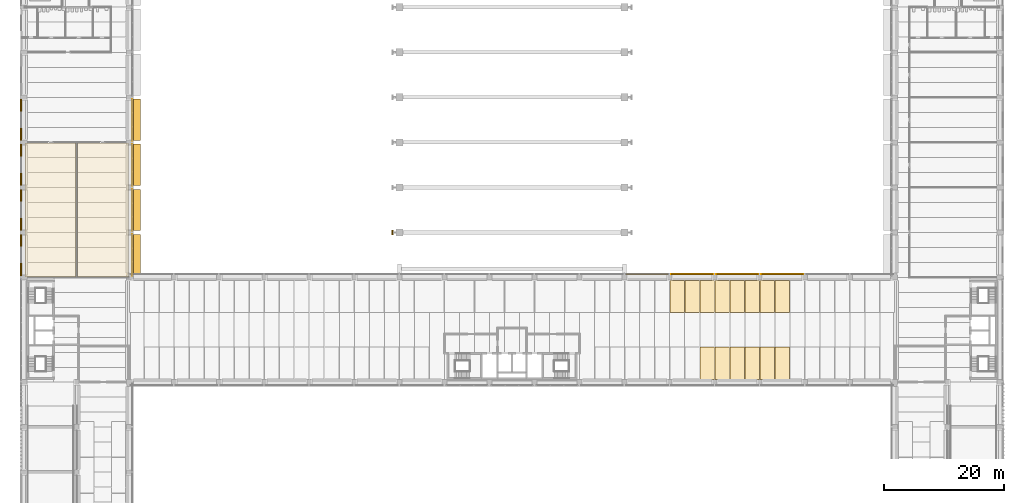
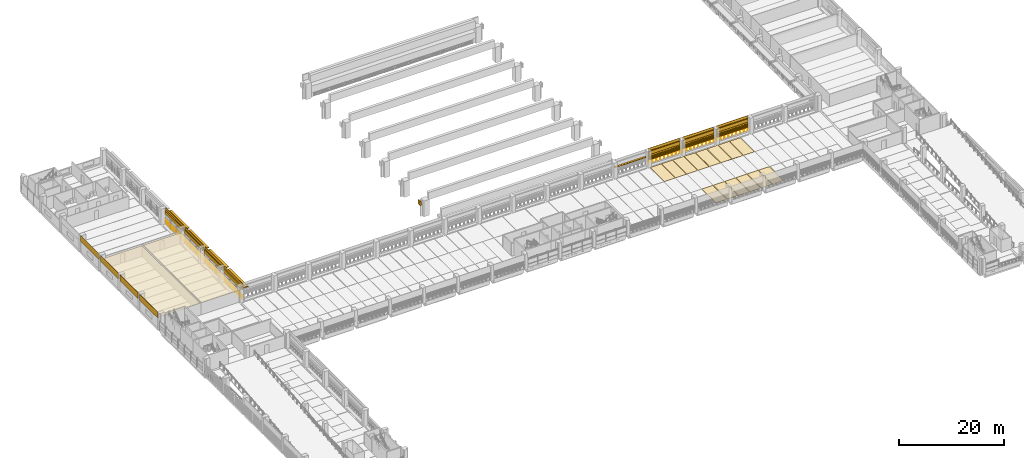
# One storey, part 47 of 61: 28 coverings, 20 shading devices, 7 railings.
"""IFC4 building model written with IfcOpenShell, lengths in metres."""

from ifc_helpers import new_model, si_unit, direction, frame, origin, origin_2d, place, context, subcontext, project, spatial, polyline, circle, outline, extrude, material, layer, layer_set, type_object, element, save


model = new_model("IFC4")

# Units and contexts
model_context = context("Model", 3, precision=1e-05, world=origin(), true_north=direction((0.0, 1.0)))
body_context = subcontext(model_context, "Body", "Model", "MODEL_VIEW")
ifc_project = project(units=[si_unit("LENGTHUNIT", "METRE"), si_unit("AREAUNIT", "SQUARE_METRE"), si_unit("VOLUMEUNIT", "CUBIC_METRE"), si_unit("PLANEANGLEUNIT", "RADIAN"), si_unit("MASSUNIT", "GRAM", prefix="KILO")], contexts=[model_context])

# Site, building, storey
site_placement = place(None, origin())
site = spatial("IfcSite", under=ifc_project, at=site_placement, CompositionType="ELEMENT")
building_placement = place(site_placement, origin())
building = spatial("IfcBuilding", under=site, at=building_placement, Name="Cour d'Honneur Mobility Palace", CompositionType="ELEMENT")
storey_placement = place(building_placement, frame((0.0, 0.0, 11.89990234375)))
storey = spatial("IfcBuildingStorey", under=building, at=storey_placement, Name="L03", CompositionType="ELEMENT", Elevation=11.89990234375)

# Railings
ifc_material_1 = material(Name="Painted steel", Category="steel")
railing_type = type_object("IfcRailingType", Name="Balustrade", PredefinedType="BALUSTRADE", material=ifc_material_1)
for number, where, name in (
    (1, (129.60009765625, 62.949951171875, 0.300048828125), "Balustrade BAL-172"),
    (2, (122.10009765625, 62.949951171875, 0.300048828125), "Balustrade BAL-173"),
    (3, (114.60009765625, 62.949951171875, 0.300048828125), "Balustrade BAL-174"),
):
    element("IfcRailing", number, at=place(storey_placement, frame(where)), inside=storey, type_object=railing_type, Name=name, PredefinedType="BALUSTRADE", context=body_context, shape_type="SweptSolid", body=[
        extrude(circle(Radius=0.02392578125, at=origin_2d()), frame((0.0, 0.0, 0.77587890625), z_axis=(-1.0, 0.0, 0.0), x_axis=(0.0, -1.0, 0.0)), (0.0, 0.0, 1.0), 6.900146484375),
        extrude(circle(Radius=0.02099609375, at=origin_2d()), origin(), (0.0, 0.0, 1.0), 0.751953125),
        extrude(circle(Radius=0.02099609375, at=origin_2d()), frame((-0.862548828125, 0.0, 0.0)), (0.0, 0.0, 1.0), 0.751953125),
        extrude(circle(Radius=0.02099609375, at=origin_2d()), frame((-1.72509765625, 0.0, 0.0)), (0.0, 0.0, 1.0), 0.751953125),
        extrude(circle(Radius=0.02099609375, at=origin_2d()), frame((-2.587646484375, 0.0, 0.0)), (0.0, 0.0, 1.0), 0.751953125),
        extrude(circle(Radius=0.02099609375, at=origin_2d()), frame((-3.4501953125, 0.0, 0.0)), (0.0, 0.0, 1.0), 0.751953125),
        extrude(circle(Radius=0.02099609375, at=origin_2d()), frame((-4.3125, 0.0, 0.0)), (0.0, 0.0, 1.0), 0.751953125),
        extrude(circle(Radius=0.02099609375, at=origin_2d()), frame((-5.175048828125, 0.0, 0.0)), (0.0, 0.0, 1.0), 0.751953125),
        extrude(circle(Radius=0.02099609375, at=origin_2d()), frame((-6.03759765625, 0.0, 0.0)), (0.0, 0.0, 1.0), 0.751953125),
        extrude(circle(Radius=0.02099609375, at=origin_2d()), frame((-6.900146484375, 0.0, 0.0)), (0.0, 0.0, 1.0), 0.751953125),
    ])
for number, where, name in (
    (4, (17.949951171875, 62.699951171875, 0.300048828125), "Balustrade BAL-187"),
    (5, (17.949951171875, 70.199951171875, 0.300048828125), "Balustrade BAL-188"),
    (6, (17.949951171875, 77.699951171875, 0.300048828125), "Balustrade BAL-189"),
    (7, (17.949951171875, 85.199951171875, 0.300048828125), "Balustrade BAL-190"),
):
    element("IfcRailing", number, at=place(storey_placement, frame(where)), inside=storey, type_object=railing_type, Name=name, PredefinedType="BALUSTRADE", context=body_context, shape_type="SweptSolid", body=[
        extrude(circle(Radius=0.02392578125, at=origin_2d()), frame((0.0, 0.0, 0.77587890625), z_axis=(0.0, 1.0, 0.0), x_axis=(-1.0, 0.0, 0.0)), (0.0, 0.0, 1.0), 6.900146484375),
        extrude(circle(Radius=0.02099609375, at=origin_2d()), origin(), (0.0, 0.0, 1.0), 0.751953125),
        extrude(circle(Radius=0.02099609375, at=origin_2d()), frame((0.0, 0.862548828125, 0.0)), (0.0, 0.0, 1.0), 0.751953125),
        extrude(circle(Radius=0.02099609375, at=origin_2d()), frame((0.0, 1.72509765625, 0.0)), (0.0, 0.0, 1.0), 0.751953125),
        extrude(circle(Radius=0.02099609375, at=origin_2d()), frame((0.0, 2.587646484375, 0.0)), (0.0, 0.0, 1.0), 0.751953125),
        extrude(circle(Radius=0.02099609375, at=origin_2d()), frame((0.0, 3.4501953125, 0.0)), (0.0, 0.0, 1.0), 0.751953125),
        extrude(circle(Radius=0.02099609375, at=origin_2d()), frame((0.0, 4.3125, 0.0)), (0.0, 0.0, 1.0), 0.751953125),
        extrude(circle(Radius=0.02099609375, at=origin_2d()), frame((0.0, 5.175048828125, 0.0)), (0.0, 0.0, 1.0), 0.751953125),
        extrude(circle(Radius=0.02099609375, at=origin_2d()), frame((0.0, 6.03759765625, 0.0)), (0.0, 0.0, 1.0), 0.751953125),
        extrude(circle(Radius=0.02099609375, at=origin_2d()), frame((0.0, 6.900146484375, 0.0)), (0.0, 0.0, 1.0), 0.751953125),
    ])

# Coverings
ifc_material_2 = material(Name="Parking marking paint")
ifc_layer_1 = layer(ifc_material_2, 0.0048828125)
ifc_layer_set_1 = layer_set([ifc_layer_1], Name="Parking marking paint")
covering_type_1 = type_object("IfcCoveringType", Name="Parking bay marking", PredefinedType="FLOORING", material=ifc_layer_set_1)
covering_1_placement = place(storey_placement, origin())
element("IfcCovering", 8, at=covering_1_placement, inside=storey, type_object=covering_type_1, Name="Parking bay marking L03 19", PredefinedType="FLOORING", context=body_context, shape_type="SweptSolid", body=[
    extrude(outline(polyline([(109.85009765625, 56.550048828125), (107.449951171875, 56.550048828125), (107.449951171875, 61.949951171875), (109.85009765625, 61.949951171875), (109.85009765625, 56.550048828125)])), origin(), (0.0, 0.0, 1.0), 0.005126953125),
])
covering_2_placement = place(storey_placement, origin())
element("IfcCovering", 9, at=covering_2_placement, inside=storey, type_object=covering_type_1, Name="Parking bay marking L03 20", PredefinedType="FLOORING", context=body_context, shape_type="SweptSolid", body=[
    extrude(outline(polyline([(112.35009765625, 56.550048828125), (109.949951171875, 56.550048828125), (109.949951171875, 61.949951171875), (112.35009765625, 61.949951171875), (112.35009765625, 56.550048828125)])), origin(), (0.0, 0.0, 1.0), 0.005126953125),
])
covering_3_placement = place(storey_placement, origin())
element("IfcCovering", 10, at=covering_3_placement, inside=storey, type_object=covering_type_1, Name="Parking bay marking L03 21", PredefinedType="FLOORING", context=body_context, shape_type="SweptSolid", body=[
    extrude(outline(polyline([(114.85009765625, 56.550048828125), (112.449951171875, 56.550048828125), (112.449951171875, 61.949951171875), (114.85009765625, 61.949951171875), (114.85009765625, 56.550048828125)])), origin(), (0.0, 0.0, 1.0), 0.005126953125),
])
covering_4_placement = place(storey_placement, origin())
element("IfcCovering", 11, at=covering_4_placement, inside=storey, type_object=covering_type_1, Name="Parking bay marking L03 23", PredefinedType="FLOORING", context=body_context, shape_type="SweptSolid", body=[
    extrude(outline(polyline([(117.35009765625, 56.550048828125), (114.949951171875, 56.550048828125), (114.949951171875, 61.949951171875), (117.35009765625, 61.949951171875), (117.35009765625, 56.550048828125)])), origin(), (0.0, 0.0, 1.0), 0.005126953125),
])
covering_5_placement = place(storey_placement, origin())
element("IfcCovering", 12, at=covering_5_placement, inside=storey, type_object=covering_type_1, Name="Parking bay marking L03 24", PredefinedType="FLOORING", context=body_context, shape_type="SweptSolid", body=[
    extrude(outline(polyline([(119.85009765625, 56.550048828125), (117.449951171875, 56.550048828125), (117.449951171875, 61.949951171875), (119.85009765625, 61.949951171875), (119.85009765625, 56.550048828125)])), origin(), (0.0, 0.0, 1.0), 0.005126953125),
])
covering_6_placement = place(storey_placement, origin())
element("IfcCovering", 13, at=covering_6_placement, inside=storey, type_object=covering_type_1, Name="Parking bay marking L03 25", PredefinedType="FLOORING", context=body_context, shape_type="SweptSolid", body=[
    extrude(outline(polyline([(122.35009765625, 56.550048828125), (119.949951171875, 56.550048828125), (119.949951171875, 61.949951171875), (122.35009765625, 61.949951171875), (122.35009765625, 56.550048828125)])), origin(), (0.0, 0.0, 1.0), 0.005126953125),
])
covering_7_placement = place(storey_placement, origin())
element("IfcCovering", 14, at=covering_7_placement, inside=storey, type_object=covering_type_1, Name="Parking bay marking L03 26", PredefinedType="FLOORING", context=body_context, shape_type="SweptSolid", body=[
    extrude(outline(polyline([(124.85009765625, 56.550048828125), (122.449951171875, 56.550048828125), (122.449951171875, 61.949951171875), (124.85009765625, 61.949951171875), (124.85009765625, 56.550048828125)])), origin(), (0.0, 0.0, 1.0), 0.005126953125),
])
covering_8_placement = place(storey_placement, origin())
element("IfcCovering", 15, at=covering_8_placement, inside=storey, type_object=covering_type_1, Name="Parking bay marking L03 27", PredefinedType="FLOORING", context=body_context, shape_type="SweptSolid", body=[
    extrude(outline(polyline([(127.35009765625, 56.550048828125), (124.949951171875, 56.550048828125), (124.949951171875, 61.949951171875), (127.35009765625, 61.949951171875), (127.35009765625, 56.550048828125)])), origin(), (0.0, 0.0, 1.0), 0.005126953125),
])
covering_9_placement = place(storey_placement, origin())
element("IfcCovering", 16, at=covering_9_placement, inside=storey, type_object=covering_type_1, Name="Parking bay marking L03 60", PredefinedType="FLOORING", context=body_context, shape_type="SweptSolid", body=[
    extrude(outline(polyline([(114.85009765625, 45.449951171875), (112.449951171875, 45.449951171875), (112.449951171875, 50.85009765625), (114.85009765625, 50.85009765625), (114.85009765625, 45.449951171875)])), origin(), (0.0, 0.0, 1.0), 0.005126953125),
])
covering_10_placement = place(storey_placement, origin())
element("IfcCovering", 17, at=covering_10_placement, inside=storey, type_object=covering_type_1, Name="Parking bay marking L03 62", PredefinedType="FLOORING", context=body_context, shape_type="SweptSolid", body=[
    extrude(outline(polyline([(117.35009765625, 45.449951171875), (114.949951171875, 45.449951171875), (114.949951171875, 50.85009765625), (117.35009765625, 50.85009765625), (117.35009765625, 45.449951171875)])), origin(), (0.0, 0.0, 1.0), 0.005126953125),
])
covering_11_placement = place(storey_placement, origin())
element("IfcCovering", 18, at=covering_11_placement, inside=storey, type_object=covering_type_1, Name="Parking bay marking L03 63", PredefinedType="FLOORING", context=body_context, shape_type="SweptSolid", body=[
    extrude(outline(polyline([(119.85009765625, 45.449951171875), (117.449951171875, 45.449951171875), (117.449951171875, 50.85009765625), (119.85009765625, 50.85009765625), (119.85009765625, 45.449951171875)])), origin(), (0.0, 0.0, 1.0), 0.005126953125),
])
covering_12_placement = place(storey_placement, origin())
element("IfcCovering", 19, at=covering_12_placement, inside=storey, type_object=covering_type_1, Name="Parking bay marking L03 64", PredefinedType="FLOORING", context=body_context, shape_type="SweptSolid", body=[
    extrude(outline(polyline([(122.35009765625, 45.449951171875), (119.949951171875, 45.449951171875), (119.949951171875, 50.85009765625), (122.35009765625, 50.85009765625), (122.35009765625, 45.449951171875)])), origin(), (0.0, 0.0, 1.0), 0.005126953125),
])
covering_13_placement = place(storey_placement, origin())
element("IfcCovering", 20, at=covering_13_placement, inside=storey, type_object=covering_type_1, Name="Parking bay marking L03 65", PredefinedType="FLOORING", context=body_context, shape_type="SweptSolid", body=[
    extrude(outline(polyline([(124.85009765625, 45.449951171875), (122.449951171875, 45.449951171875), (122.449951171875, 50.85009765625), (124.85009765625, 50.85009765625), (124.85009765625, 45.449951171875)])), origin(), (0.0, 0.0, 1.0), 0.005126953125),
])
covering_14_placement = place(storey_placement, origin())
element("IfcCovering", 21, at=covering_14_placement, inside=storey, type_object=covering_type_1, Name="Parking bay marking L03 66", PredefinedType="FLOORING", context=body_context, shape_type="SweptSolid", body=[
    extrude(outline(polyline([(127.35009765625, 45.449951171875), (124.949951171875, 45.449951171875), (124.949951171875, 50.85009765625), (127.35009765625, 50.85009765625), (127.35009765625, 45.449951171875)])), origin(), (0.0, 0.0, 1.0), 0.005126953125),
])
ifc_material_3 = material(Name="Cast limestone", Category="masonry")
ifc_layer_2 = layer(ifc_material_3, 0.1201171875)
ifc_layer_set_2 = layer_set([ifc_layer_2], Name="Cast limestone")
covering_type_2 = type_object("IfcCoveringType", Name="Pilaster capital", PredefinedType="CLADDING", material=ifc_layer_set_2)
covering_15_placement = place(storey_placement, frame((0.0, 0.0, 2.7001953125)))
element("IfcCovering", 22, at=covering_15_placement, inside=storey, type_object=covering_type_2, Name="Hall pilaster capital HP-W2", PredefinedType="CLADDING", context=body_context, shape_type="SweptSolid", body=[
    extrude(outline(polyline([(61.10009765625, 69.5), (61.35009765625, 69.5), (61.35009765625, 70.300048828125), (61.10009765625, 70.300048828125), (61.10009765625, 69.5)])), origin(), (0.0, 0.0, 1.0), 1.0),
])
ifc_material_4 = material(Name="Cast limestone", Category="masonry")
ifc_layer_3 = layer(ifc_material_4, 0.25)
ifc_layer_set_3 = layer_set([ifc_layer_3], Name="Cast limestone")
covering_type_3 = type_object("IfcCoveringType", Name="Spandrel cladding", PredefinedType="CLADDING", material=ifc_layer_set_3)
for number, where, z_axis, x_axis, name in (
    (23, (129.60009765625, 62.85009765625, 2.300048828125), (1.0, 0.0, 0.0), (0.0, 1.0, 0.0), "Spandrel cladding SK-247"),
    (24, (122.10009765625, 62.85009765625, 2.300048828125), (1.0, 0.0, 0.0), (0.0, 1.0, 0.0), "Spandrel cladding SK-248"),
    (25, (114.60009765625, 62.85009765625, 2.300048828125), (1.0, 0.0, 0.0), (0.0, 1.0, 0.0), "Spandrel cladding SK-249"),
    (26, (17.85009765625, 62.699951171875, 2.300048828125), (0.0, -1.0, 0.0), (1.0, 0.0, 0.0), "Spandrel cladding SK-262"),
    (27, (17.85009765625, 70.199951171875, 2.300048828125), (0.0, -1.0, 0.0), (1.0, 0.0, 0.0), "Spandrel cladding SK-263"),
    (28, (17.85009765625, 77.699951171875, 2.300048828125), (0.0, -1.0, 0.0), (1.0, 0.0, 0.0), "Spandrel cladding SK-264"),
    (29, (17.85009765625, 85.199951171875, 2.300048828125), (0.0, -1.0, 0.0), (1.0, 0.0, 0.0), "Spandrel cladding SK-265"),
    (30, (-0.449951171875, 92.10009765625, 2.300048828125), (0.0, 1.0, 0.0), (-1.0, 0.0, 0.0), "Spandrel cladding SK-270"),
    (31, (-0.449951171875, 84.60009765625, 2.300048828125), (0.0, 1.0, 0.0), (-1.0, 0.0, 0.0), "Spandrel cladding SK-271"),
    (32, (-0.449951171875, 77.10009765625, 2.300048828125), (0.0, 1.0, 0.0), (-1.0, 0.0, 0.0), "Spandrel cladding SK-272"),
    (33, (-0.449951171875, 69.60009765625, 2.300048828125), (0.0, 1.0, 0.0), (-1.0, 0.0, 0.0), "Spandrel cladding SK-273"),
):
    element("IfcCovering", number, at=place(storey_placement, frame(where, z_axis=z_axis, x_axis=x_axis)), inside=storey, type_object=covering_type_3, Name=name, PredefinedType="CLADDING", context=body_context, shape_type="SweptSolid", body=[
        extrude(outline(polyline([(0.0, 0.0), (0.25, 0.0), (0.25, 1.400146484375), (0.199951171875, 1.400146484375), (0.199951171875, 0.800048828125), (0.0, 0.800048828125), (0.0, 0.0)])), origin(), (0.0, 0.0, -1.0), 6.89990234375),
    ])

# Shading devices
ifc_material_5 = material(Name="Anodised aluminium", Category="aluminium")
ifc_layer_4 = layer(ifc_material_5, 0.1201171875)
ifc_layer_set_4 = layer_set([ifc_layer_4], Name="Anodised aluminium")
shading_device_type_1 = type_object("IfcShadingDeviceType", Name="Sunshade 1200", PredefinedType="AWNING", material=ifc_layer_set_4)
shading_device_1_placement = place(storey_placement, frame((0.0, 0.0, 2.630126953125)))
element("IfcShadingDevice", 34, at=shading_device_1_placement, inside=storey, type_object=shading_device_type_1, Name="Sunshade E9.0 L03", PredefinedType="AWNING", context=body_context, shape_type="SweptSolid", body=[
    extrude(outline(polyline([(18.10009765625, 62.699951171875), (18.10009765625, 69.60009765625), (19.300048828125, 69.60009765625), (19.300048828125, 62.699951171875), (18.10009765625, 62.699951171875)])), origin(), (0.0, 0.0, 1.0), 0.119873046875),
])
shading_device_2_placement = place(storey_placement, frame((0.0, 0.0, 2.630126953125)))
element("IfcShadingDevice", 35, at=shading_device_2_placement, inside=storey, type_object=shading_device_type_1, Name="Sunshade E9.1 L03", PredefinedType="AWNING", context=body_context, shape_type="SweptSolid", body=[
    extrude(outline(polyline([(18.10009765625, 70.199951171875), (18.10009765625, 77.10009765625), (19.300048828125, 77.10009765625), (19.300048828125, 70.199951171875), (18.10009765625, 70.199951171875)])), origin(), (0.0, 0.0, 1.0), 0.119873046875),
])
shading_device_3_placement = place(storey_placement, frame((0.0, 0.0, 2.630126953125)))
element("IfcShadingDevice", 36, at=shading_device_3_placement, inside=storey, type_object=shading_device_type_1, Name="Sunshade E9.2 L03", PredefinedType="AWNING", context=body_context, shape_type="SweptSolid", body=[
    extrude(outline(polyline([(18.10009765625, 77.699951171875), (18.10009765625, 84.60009765625), (19.300048828125, 84.60009765625), (19.300048828125, 77.699951171875), (18.10009765625, 77.699951171875)])), origin(), (0.0, 0.0, 1.0), 0.119873046875),
])
shading_device_4_placement = place(storey_placement, frame((0.0, 0.0, 2.630126953125)))
element("IfcShadingDevice", 37, at=shading_device_4_placement, inside=storey, type_object=shading_device_type_1, Name="Sunshade E9.3 L03", PredefinedType="AWNING", context=body_context, shape_type="SweptSolid", body=[
    extrude(outline(polyline([(18.10009765625, 85.199951171875), (18.10009765625, 92.10009765625), (19.300048828125, 92.10009765625), (19.300048828125, 85.199951171875), (18.10009765625, 85.199951171875)])), origin(), (0.0, 0.0, 1.0), 0.119873046875),
])

# Coverings
ifc_material_6 = material(Name="Suspended ceiling")
ifc_layer_5 = layer(ifc_material_6, 0.030029296875)
ifc_layer_set_5 = layer_set([ifc_layer_5], Name="Suspended ceiling")
covering_type_4 = type_object("IfcCoveringType", Name="Suspended ceiling", PredefinedType="CEILING", material=ifc_layer_set_5)
covering_16_placement = place(storey_placement, frame((0.0, 0.0, 2.550048828125)))
element("IfcCovering", 38, at=covering_16_placement, inside=storey, type_object=covering_type_4, Name="Ceiling Cycle Cafe", PredefinedType="CEILING", context=body_context, shape_type="SweptSolid", body=[
    extrude(outline(polyline([(8.580078125, 62.52001953125), (0.1201171875, 62.52001953125), (0.1201171875, 84.780029296875), (8.580078125, 84.780029296875), (8.580078125, 62.52001953125)])), origin(), (0.0, 0.0, 1.0), 0.030029296875),
])
covering_17_placement = place(storey_placement, frame((0.0, 0.0, 2.550048828125)))
element("IfcCovering", 39, at=covering_17_placement, inside=storey, type_object=covering_type_4, Name="Ceiling Mobility Exhibition Room", PredefinedType="CEILING", context=body_context, shape_type="SweptSolid", body=[
    extrude(outline(polyline([(17.280029296875, 62.52001953125), (8.820068359375, 62.52001953125), (8.820068359375, 84.780029296875), (17.280029296875, 84.780029296875), (17.280029296875, 62.52001953125)])), origin(), (0.0, 0.0, 1.0), 0.030029296875),
])

# Shading devices
ifc_material_7 = material(Name="Terracotta", Category="masonry")
ifc_layer_6 = layer(ifc_material_7, 0.02490234375)
ifc_layer_set_6 = layer_set([ifc_layer_6], Name="Terracotta")
shading_device_type_2 = type_object("IfcShadingDeviceType", Name="Terracotta louvre blade", PredefinedType="JALOUSIE", material=ifc_layer_set_6)
for number, where, z_axis, x_axis, name in (
    (40, (129.60009765625, 62.843994140625, 1.10009765625), (0.0, -0.707106781187, 0.707106781187), (-1.0, 0.0, 0.0), "Louvre blade LV-1 N8.2 L03 1"),
    (41, (129.60009765625, 62.843994140625, 1.312255859375), (0.0, -0.707106781187, 0.707106781187), (-1.0, 0.0, 0.0), "Louvre blade LV-1 N8.2 L03 2"),
    (42, (129.60009765625, 62.843994140625, 1.5244140625), (0.0, -0.707106781187, 0.707106781187), (-1.0, 0.0, 0.0), "Louvre blade LV-1 N8.2 L03 3"),
    (43, (129.60009765625, 62.843994140625, 1.736572265625), (0.0, -0.707106781187, 0.707106781187), (-1.0, 0.0, 0.0), "Louvre blade LV-1 N8.2 L03 4"),
):
    element("IfcShadingDevice", number, at=place(storey_placement, frame(where, z_axis=z_axis, x_axis=x_axis)), inside=storey, type_object=shading_device_type_2, Name=name, PredefinedType="JALOUSIE", context=body_context, shape_type="SweptSolid", body=[
        extrude(outline(polyline([(0.0, 0.0), (6.900146484375, 0.0), (6.900146484375, -0.300037008228081), (0.0, -0.300037008228081), (0.0, 0.0)])), origin(), (0.0, 0.0, -1.0), 0.02490234375),
    ])
shading_device_5_placement = place(storey_placement, frame((129.60009765625, 62.843994140625, 1.94873046875), z_axis=(0.0, -0.706699578995, 0.707513749017), x_axis=(-1.0, 0.0, 0.0)))
element("IfcShadingDevice", 44, at=shading_device_5_placement, inside=storey, type_object=shading_device_type_2, Name="Louvre blade LV-1 N8.2 L03 5", PredefinedType="JALOUSIE", context=body_context, shape_type="SweptSolid", body=[
    extrude(outline(polyline([(0.0, 0.0), (6.900146484375, 0.0), (6.900146484375, -0.29986442442957895), (0.0, -0.29986442442957895), (0.0, 0.0)])), origin(), (0.0, 0.0, -1.0), 0.02490234375),
])
for number, where, z_axis, x_axis, name in (
    (45, (122.10009765625, 62.843994140625, 1.10009765625), (0.0, -0.707106781187, 0.707106781187), (-1.0, 0.0, 0.0), "Louvre blade LV-1 N8.3 L03 1"),
    (46, (122.10009765625, 62.843994140625, 1.312255859375), (0.0, -0.707106781187, 0.707106781187), (-1.0, 0.0, 0.0), "Louvre blade LV-1 N8.3 L03 2"),
    (47, (122.10009765625, 62.843994140625, 1.5244140625), (0.0, -0.707106781187, 0.707106781187), (-1.0, 0.0, 0.0), "Louvre blade LV-1 N8.3 L03 3"),
    (48, (122.10009765625, 62.843994140625, 1.736572265625), (0.0, -0.707106781187, 0.707106781187), (-1.0, 0.0, 0.0), "Louvre blade LV-1 N8.3 L03 4"),
):
    element("IfcShadingDevice", number, at=place(storey_placement, frame(where, z_axis=z_axis, x_axis=x_axis)), inside=storey, type_object=shading_device_type_2, Name=name, PredefinedType="JALOUSIE", context=body_context, shape_type="SweptSolid", body=[
        extrude(outline(polyline([(0.0, 0.0), (6.900146484375, 0.0), (6.900146484375, -0.300037008228081), (0.0, -0.300037008228081), (0.0, 0.0)])), origin(), (0.0, 0.0, -1.0), 0.02490234375),
    ])
shading_device_6_placement = place(storey_placement, frame((122.10009765625, 62.843994140625, 1.94873046875), z_axis=(0.0, -0.706699578995, 0.707513749017), x_axis=(-1.0, 0.0, 0.0)))
element("IfcShadingDevice", 49, at=shading_device_6_placement, inside=storey, type_object=shading_device_type_2, Name="Louvre blade LV-1 N8.3 L03 5", PredefinedType="JALOUSIE", context=body_context, shape_type="SweptSolid", body=[
    extrude(outline(polyline([(0.0, 0.0), (6.900146484375, 0.0), (6.900146484375, -0.29986442442957895), (0.0, -0.29986442442957895), (0.0, 0.0)])), origin(), (0.0, 0.0, -1.0), 0.02490234375),
])
for number, where, z_axis, x_axis, name in (
    (50, (114.60009765625, 62.843994140625, 1.10009765625), (0.0, -0.707106781187, 0.707106781187), (-1.0, 0.0, 0.0), "Louvre blade LV-1 N8.4 L03 1"),
    (51, (114.60009765625, 62.843994140625, 1.312255859375), (0.0, -0.707106781187, 0.707106781187), (-1.0, 0.0, 0.0), "Louvre blade LV-1 N8.4 L03 2"),
    (52, (114.60009765625, 62.843994140625, 1.5244140625), (0.0, -0.707106781187, 0.707106781187), (-1.0, 0.0, 0.0), "Louvre blade LV-1 N8.4 L03 3"),
    (53, (114.60009765625, 62.843994140625, 1.736572265625), (0.0, -0.707106781187, 0.707106781187), (-1.0, 0.0, 0.0), "Louvre blade LV-1 N8.4 L03 4"),
):
    element("IfcShadingDevice", number, at=place(storey_placement, frame(where, z_axis=z_axis, x_axis=x_axis)), inside=storey, type_object=shading_device_type_2, Name=name, PredefinedType="JALOUSIE", context=body_context, shape_type="SweptSolid", body=[
        extrude(outline(polyline([(0.0, 0.0), (6.900146484375, 0.0), (6.900146484375, -0.300037008228081), (0.0, -0.300037008228081), (0.0, 0.0)])), origin(), (0.0, 0.0, -1.0), 0.02490234375),
    ])
for number, where, z_axis, x_axis, name in (
    (54, (114.60009765625, 62.843994140625, 1.94873046875), (0.0, -0.706699578995, 0.707513749017), (-1.0, 0.0, 0.0), "Louvre blade LV-1 N8.4 L03 5"),
    (55, (107.10009765625, 62.843994140625, 1.94873046875), (0.0, -0.706699578995, 0.707513749017), (-1.0, 0.0, 0.0), "Louvre blade LV-1 N8.5 L03 5"),
):
    element("IfcShadingDevice", number, at=place(storey_placement, frame(where, z_axis=z_axis, x_axis=x_axis)), inside=storey, type_object=shading_device_type_2, Name=name, PredefinedType="JALOUSIE", context=body_context, shape_type="SweptSolid", body=[
        extrude(outline(polyline([(0.0, 0.0), (6.900146484375, 0.0), (6.900146484375, -0.29986442442957895), (0.0, -0.29986442442957895), (0.0, 0.0)])), origin(), (0.0, 0.0, -1.0), 0.02490234375),
    ])

save(model, "model.ifc")
